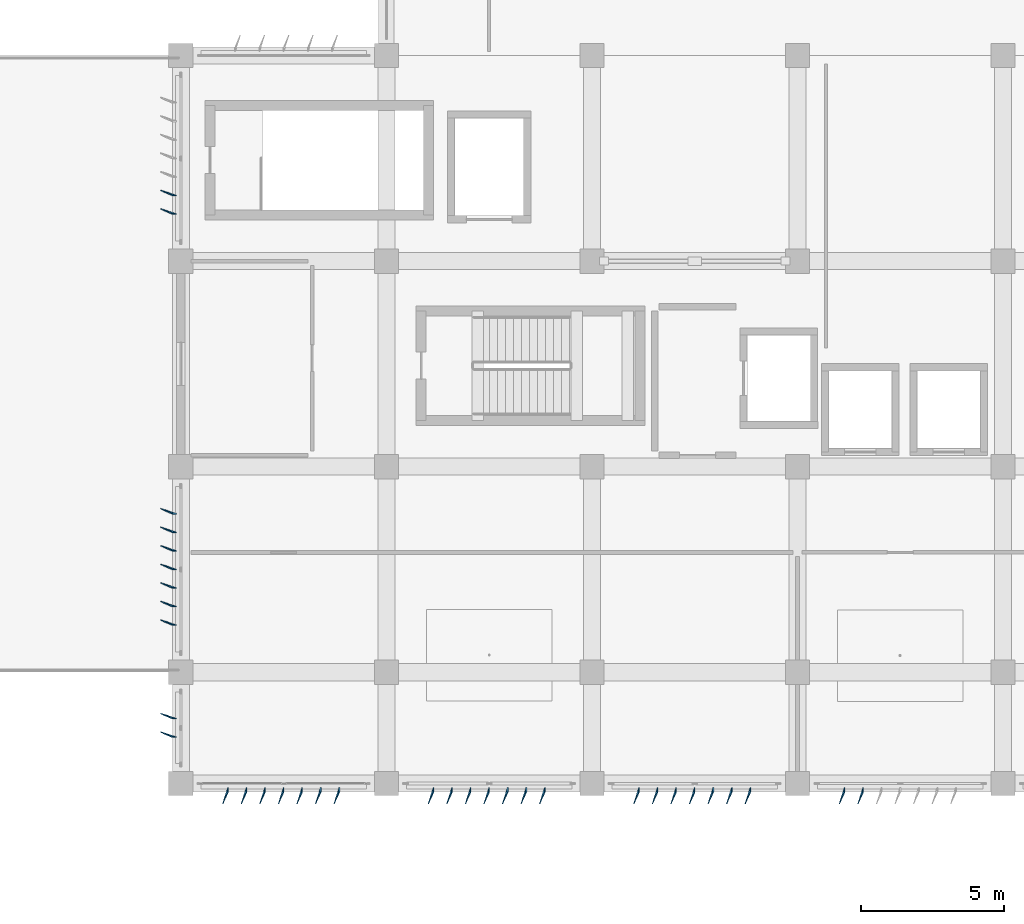
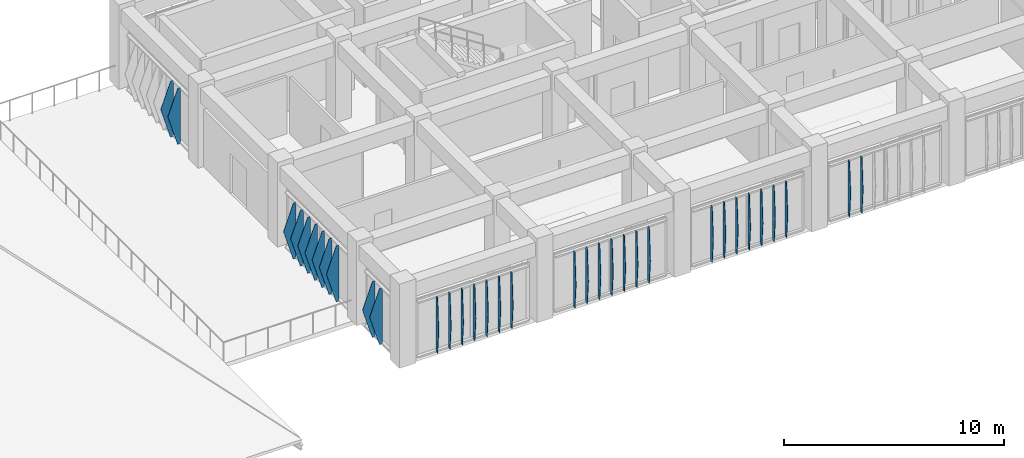
# One storey, part 46 of 55: 34 plates.
"""IFC4 building model written with IfcOpenShell, lengths in metres."""

from ifc_helpers import new_model, si_unit, direction, frame, origin, place, context, subcontext, project, spatial, polygons, material, layer, layer_set, type_object, element, save


model = new_model("IFC4")

# Units and contexts
model_context = context("Model", 3, precision=1e-05, world=origin(), true_north=direction((0.0, 1.0)))
body_context = subcontext(model_context, "Body", "Model", "MODEL_VIEW")
ifc_project = project(units=[si_unit("LENGTHUNIT", "METRE"), si_unit("AREAUNIT", "SQUARE_METRE"), si_unit("VOLUMEUNIT", "CUBIC_METRE"), si_unit("PLANEANGLEUNIT", "RADIAN"), si_unit("MASSUNIT", "GRAM", prefix="KILO")], contexts=[model_context])

# Site, building, storey
site_placement = place(None, origin())
site = spatial("IfcSite", under=ifc_project, at=site_placement, CompositionType="ELEMENT")
building_placement = place(site_placement, origin())
building = spatial("IfcBuilding", under=site, at=building_placement, Name="Kazehaya Institute of Natural Sciences", CompositionType="ELEMENT")
storey_placement = place(building_placement, frame((0.0, 0.0, 15.1201171875)))
storey = spatial("IfcBuildingStorey", under=building, at=storey_placement, Name="L03", CompositionType="ELEMENT", Elevation=15.1201171875)

# Plates
ifc_material = material(Name="Bronze-anodised aluminium alloy A6063S-T5", Category="aluminium")
ifc_layer_1 = layer(ifc_material, 0.02001953125, Name="Bronze-anodised aluminium alloy A6063S-T5", Category="aluminium")
ifc_layer_set_1 = layer_set([ifc_layer_1], Name="Bronze-anodised aluminium alloy A6063S-T5")
plate_type_1 = type_object("IfcPlateType", Name="FIN-DF-E1", PredefinedType="USERDEFINED", material=ifc_layer_set_1)
plate_1_placement = place(storey_placement, origin())
element("IfcPlate", 1, at=plate_1_placement, inside=storey, type_object=plate_type_1, Name="L03 folded diamond-pyramid shading fin FIN-L03-W-0074", ObjectType="SHADING_FIN", PredefinedType="USERDEFINED", context=body_context, shape_type="Tessellation", body=[
    polygons([(54.445068359375, 11.715087890625, 0.039794921875), (54.300048828125, 11.715087890625, 0.039794921875), (53.889892578125, 11.893798828125, 1.58984375), (54.300048828125, 11.715087890625, 3.139892578125), (54.445068359375, 11.715087890625, 3.139892578125), (54.445068359375, 11.735107421875, 0.039794921875), (54.300048828125, 11.735107421875, 0.039794921875), (53.889892578125, 11.913818359375, 1.58984375), (54.300048828125, 11.735107421875, 3.139892578125), (54.445068359375, 11.735107421875, 3.139892578125)], [[[1, 5, 4, 3, 2]], [[6, 7, 8, 9, 10]], [[1, 2, 7, 6]], [[2, 3, 8, 7]], [[3, 4, 9, 8]], [[4, 5, 10, 9]], [[5, 1, 6, 10]]], closed=True),
])
plate_2_placement = place(storey_placement, origin())
element("IfcPlate", 2, at=plate_2_placement, inside=storey, type_object=plate_type_1, Name="L03 folded diamond-pyramid shading fin FIN-L03-W-0075", ObjectType="SHADING_FIN", PredefinedType="USERDEFINED", context=body_context, shape_type="Tessellation", body=[
    polygons([(54.445068359375, 12.364990234375, 0.039794921875), (54.300048828125, 12.364990234375, 0.039794921875), (53.889892578125, 12.543701171875, 1.58984375), (54.300048828125, 12.364990234375, 3.139892578125), (54.445068359375, 12.364990234375, 3.139892578125), (54.445068359375, 12.385009765625, 0.039794921875), (54.300048828125, 12.385009765625, 0.039794921875), (53.889892578125, 12.563720703125, 1.58984375), (54.300048828125, 12.385009765625, 3.139892578125), (54.445068359375, 12.385009765625, 3.139892578125)], [[[1, 5, 4, 3, 2]], [[6, 7, 8, 9, 10]], [[1, 2, 7, 6]], [[2, 3, 8, 7]], [[3, 4, 9, 8]], [[4, 5, 10, 9]], [[5, 1, 6, 10]]], closed=True),
])
plate_3_placement = place(storey_placement, origin())
element("IfcPlate", 3, at=plate_3_placement, inside=storey, type_object=plate_type_1, Name="L03 folded diamond-pyramid shading fin FIN-L03-W-0078", ObjectType="SHADING_FIN", PredefinedType="USERDEFINED", context=body_context, shape_type="Tessellation", body=[
    polygons([(54.445068359375, 15.639892578125, 0.039794921875), (54.300048828125, 15.639892578125, 0.039794921875), (53.889892578125, 15.818603515625, 1.58984375), (54.300048828125, 15.639892578125, 3.139892578125), (54.445068359375, 15.639892578125, 3.139892578125), (54.445068359375, 15.659912109375, 0.039794921875), (54.300048828125, 15.659912109375, 0.039794921875), (53.889892578125, 15.838623046875, 1.58984375), (54.300048828125, 15.659912109375, 3.139892578125), (54.445068359375, 15.659912109375, 3.139892578125)], [[[1, 5, 4, 3, 2]], [[6, 7, 8, 9, 10]], [[1, 2, 7, 6]], [[2, 3, 8, 7]], [[3, 4, 9, 8]], [[4, 5, 10, 9]], [[5, 1, 6, 10]]], closed=True),
])
plate_4_placement = place(storey_placement, origin())
element("IfcPlate", 4, at=plate_4_placement, inside=storey, type_object=plate_type_1, Name="L03 folded diamond-pyramid shading fin FIN-L03-W-0079", ObjectType="SHADING_FIN", PredefinedType="USERDEFINED", context=body_context, shape_type="Tessellation", body=[
    polygons([(54.445068359375, 16.2900390625, 0.039794921875), (54.300048828125, 16.2900390625, 0.039794921875), (53.889892578125, 16.46875, 1.58984375), (54.300048828125, 16.2900390625, 3.139892578125), (54.445068359375, 16.2900390625, 3.139892578125), (54.445068359375, 16.31005859375, 0.039794921875), (54.300048828125, 16.31005859375, 0.039794921875), (53.889892578125, 16.48876953125, 1.58984375), (54.300048828125, 16.31005859375, 3.139892578125), (54.445068359375, 16.31005859375, 3.139892578125)], [[[1, 5, 4, 3, 2]], [[6, 7, 8, 9, 10]], [[1, 2, 7, 6]], [[2, 3, 8, 7]], [[3, 4, 9, 8]], [[4, 5, 10, 9]], [[5, 1, 6, 10]]], closed=True),
])
plate_5_placement = place(storey_placement, origin())
element("IfcPlate", 5, at=plate_5_placement, inside=storey, type_object=plate_type_1, Name="L03 folded diamond-pyramid shading fin FIN-L03-W-0080", ObjectType="SHADING_FIN", PredefinedType="USERDEFINED", context=body_context, shape_type="Tessellation", body=[
    polygons([(54.445068359375, 16.93994140625, 0.039794921875), (54.300048828125, 16.93994140625, 0.039794921875), (53.889892578125, 17.11865234375, 1.58984375), (54.300048828125, 16.93994140625, 3.139892578125), (54.445068359375, 16.93994140625, 3.139892578125), (54.445068359375, 16.9599609375, 0.039794921875), (54.300048828125, 16.9599609375, 0.039794921875), (53.889892578125, 17.138671875, 1.58984375), (54.300048828125, 16.9599609375, 3.139892578125), (54.445068359375, 16.9599609375, 3.139892578125)], [[[1, 5, 4, 3, 2]], [[6, 7, 8, 9, 10]], [[1, 2, 7, 6]], [[2, 3, 8, 7]], [[3, 4, 9, 8]], [[4, 5, 10, 9]], [[5, 1, 6, 10]]], closed=True),
])
plate_6_placement = place(storey_placement, origin())
element("IfcPlate", 6, at=plate_6_placement, inside=storey, type_object=plate_type_1, Name="L03 folded diamond-pyramid shading fin FIN-L03-W-0081", ObjectType="SHADING_FIN", PredefinedType="USERDEFINED", context=body_context, shape_type="Tessellation", body=[
    polygons([(54.445068359375, 17.590087890625, 0.039794921875), (54.300048828125, 17.590087890625, 0.039794921875), (53.889892578125, 17.768798828125, 1.58984375), (54.300048828125, 17.590087890625, 3.139892578125), (54.445068359375, 17.590087890625, 3.139892578125), (54.445068359375, 17.610107421875, 0.039794921875), (54.300048828125, 17.610107421875, 0.039794921875), (53.889892578125, 17.788818359375, 1.58984375), (54.300048828125, 17.610107421875, 3.139892578125), (54.445068359375, 17.610107421875, 3.139892578125)], [[[1, 5, 4, 3, 2]], [[6, 7, 8, 9, 10]], [[1, 2, 7, 6]], [[2, 3, 8, 7]], [[3, 4, 9, 8]], [[4, 5, 10, 9]], [[5, 1, 6, 10]]], closed=True),
])
plate_7_placement = place(storey_placement, origin())
element("IfcPlate", 7, at=plate_7_placement, inside=storey, type_object=plate_type_1, Name="L03 folded diamond-pyramid shading fin FIN-L03-W-0082", ObjectType="SHADING_FIN", PredefinedType="USERDEFINED", context=body_context, shape_type="Tessellation", body=[
    polygons([(54.445068359375, 18.239990234375, 0.039794921875), (54.300048828125, 18.239990234375, 0.039794921875), (53.889892578125, 18.418701171875, 1.58984375), (54.300048828125, 18.239990234375, 3.139892578125), (54.445068359375, 18.239990234375, 3.139892578125), (54.445068359375, 18.260009765625, 0.039794921875), (54.300048828125, 18.260009765625, 0.039794921875), (53.889892578125, 18.438720703125, 1.58984375), (54.300048828125, 18.260009765625, 3.139892578125), (54.445068359375, 18.260009765625, 3.139892578125)], [[[1, 5, 4, 3, 2]], [[6, 7, 8, 9, 10]], [[1, 2, 7, 6]], [[2, 3, 8, 7]], [[3, 4, 9, 8]], [[4, 5, 10, 9]], [[5, 1, 6, 10]]], closed=True),
])
plate_8_placement = place(storey_placement, origin())
element("IfcPlate", 8, at=plate_8_placement, inside=storey, type_object=plate_type_1, Name="L03 folded diamond-pyramid shading fin FIN-L03-W-0083", ObjectType="SHADING_FIN", PredefinedType="USERDEFINED", context=body_context, shape_type="Tessellation", body=[
    polygons([(54.445068359375, 18.889892578125, 0.039794921875), (54.300048828125, 18.889892578125, 0.039794921875), (53.889892578125, 19.068603515625, 1.58984375), (54.300048828125, 18.889892578125, 3.139892578125), (54.445068359375, 18.889892578125, 3.139892578125), (54.445068359375, 18.909912109375, 0.039794921875), (54.300048828125, 18.909912109375, 0.039794921875), (53.889892578125, 19.088623046875, 1.58984375), (54.300048828125, 18.909912109375, 3.139892578125), (54.445068359375, 18.909912109375, 3.139892578125)], [[[1, 5, 4, 3, 2]], [[6, 7, 8, 9, 10]], [[1, 2, 7, 6]], [[2, 3, 8, 7]], [[3, 4, 9, 8]], [[4, 5, 10, 9]], [[5, 1, 6, 10]]], closed=True),
])
plate_9_placement = place(storey_placement, origin())
element("IfcPlate", 9, at=plate_9_placement, inside=storey, type_object=plate_type_1, Name="L03 folded diamond-pyramid shading fin FIN-L03-W-0084", ObjectType="SHADING_FIN", PredefinedType="USERDEFINED", context=body_context, shape_type="Tessellation", body=[
    polygons([(54.445068359375, 19.5400390625, 0.039794921875), (54.300048828125, 19.5400390625, 0.039794921875), (53.889892578125, 19.71875, 1.58984375), (54.300048828125, 19.5400390625, 3.139892578125), (54.445068359375, 19.5400390625, 3.139892578125), (54.445068359375, 19.56005859375, 0.039794921875), (54.300048828125, 19.56005859375, 0.039794921875), (53.889892578125, 19.73876953125, 1.58984375), (54.300048828125, 19.56005859375, 3.139892578125), (54.445068359375, 19.56005859375, 3.139892578125)], [[[1, 5, 4, 3, 2]], [[6, 7, 8, 9, 10]], [[1, 2, 7, 6]], [[2, 3, 8, 7]], [[3, 4, 9, 8]], [[4, 5, 10, 9]], [[5, 1, 6, 10]]], closed=True),
])
plate_10_placement = place(storey_placement, origin())
element("IfcPlate", 10, at=plate_10_placement, inside=storey, type_object=plate_type_1, Name="L03 folded diamond-pyramid shading fin FIN-L03-W-0099", ObjectType="SHADING_FIN", PredefinedType="USERDEFINED", context=body_context, shape_type="Tessellation", body=[
    polygons([(54.445068359375, 30.0400390625, 0.039794921875), (54.300048828125, 30.0400390625, 0.039794921875), (53.889892578125, 30.21875, 1.58984375), (54.300048828125, 30.0400390625, 3.139892578125), (54.445068359375, 30.0400390625, 3.139892578125), (54.445068359375, 30.06005859375, 0.039794921875), (54.300048828125, 30.06005859375, 0.039794921875), (53.889892578125, 30.23876953125, 1.58984375), (54.300048828125, 30.06005859375, 3.139892578125), (54.445068359375, 30.06005859375, 3.139892578125)], [[[1, 5, 4, 3, 2]], [[6, 7, 8, 9, 10]], [[1, 2, 7, 6]], [[2, 3, 8, 7]], [[3, 4, 9, 8]], [[4, 5, 10, 9]], [[5, 1, 6, 10]]], closed=True),
])
plate_11_placement = place(storey_placement, origin())
element("IfcPlate", 11, at=plate_11_placement, inside=storey, type_object=plate_type_1, Name="L03 folded diamond-pyramid shading fin FIN-L03-W-0100", ObjectType="SHADING_FIN", PredefinedType="USERDEFINED", context=body_context, shape_type="Tessellation", body=[
    polygons([(54.445068359375, 30.68994140625, 0.039794921875), (54.300048828125, 30.68994140625, 0.039794921875), (53.889892578125, 30.86865234375, 1.58984375), (54.300048828125, 30.68994140625, 3.139892578125), (54.445068359375, 30.68994140625, 3.139892578125), (54.445068359375, 30.7099609375, 0.039794921875), (54.300048828125, 30.7099609375, 0.039794921875), (53.889892578125, 30.888671875, 1.58984375), (54.300048828125, 30.7099609375, 3.139892578125), (54.445068359375, 30.7099609375, 3.139892578125)], [[[1, 5, 4, 3, 2]], [[6, 7, 8, 9, 10]], [[1, 2, 7, 6]], [[2, 3, 8, 7]], [[3, 4, 9, 8]], [[4, 5, 10, 9]], [[5, 1, 6, 10]]], closed=True),
])
ifc_layer_2 = layer(ifc_material, 0.02001953125, Name="Bronze-anodised aluminium alloy A6063S-T5", Category="aluminium")
ifc_layer_set_2 = layer_set([ifc_layer_2], Name="Bronze-anodised aluminium alloy A6063S-T5")
plate_type_2 = type_object("IfcPlateType", Name="FIN-DF-S1", PredefinedType="USERDEFINED", material=ifc_layer_set_2)
plate_12_placement = place(storey_placement, origin())
element("IfcPlate", 12, at=plate_12_placement, inside=storey, type_object=plate_type_2, Name="L03 folded diamond-pyramid shading fin FIN-L03-S-0041", ObjectType="SHADING_FIN", PredefinedType="USERDEFINED", context=body_context, shape_type="Tessellation", body=[
    polygons([(78.510009765625, 9.945068359375, 0.039794921875), (78.510009765625, 9.800048828125, 0.039794921875), (78.331298828125, 9.389892578125, 1.58984375), (78.510009765625, 9.800048828125, 3.139892578125), (78.510009765625, 9.945068359375, 3.139892578125), (78.489990234375, 9.945068359375, 0.039794921875), (78.489990234375, 9.800048828125, 0.039794921875), (78.311279296875, 9.389892578125, 1.58984375), (78.489990234375, 9.800048828125, 3.139892578125), (78.489990234375, 9.945068359375, 3.139892578125)], [[[1, 5, 4, 3, 2]], [[6, 7, 8, 9, 10]], [[1, 2, 7, 6]], [[2, 3, 8, 7]], [[3, 4, 9, 8]], [[4, 5, 10, 9]], [[5, 1, 6, 10]]], closed=True),
])
plate_13_placement = place(storey_placement, origin())
element("IfcPlate", 13, at=plate_13_placement, inside=storey, type_object=plate_type_2, Name="L03 folded diamond-pyramid shading fin FIN-L03-S-0042", ObjectType="SHADING_FIN", PredefinedType="USERDEFINED", context=body_context, shape_type="Tessellation", body=[
    polygons([(77.860107421875, 9.945068359375, 0.039794921875), (77.860107421875, 9.800048828125, 0.039794921875), (77.681396484375, 9.389892578125, 1.58984375), (77.860107421875, 9.800048828125, 3.139892578125), (77.860107421875, 9.945068359375, 3.139892578125), (77.840087890625, 9.945068359375, 0.039794921875), (77.840087890625, 9.800048828125, 0.039794921875), (77.661376953125, 9.389892578125, 1.58984375), (77.840087890625, 9.800048828125, 3.139892578125), (77.840087890625, 9.945068359375, 3.139892578125)], [[[1, 5, 4, 3, 2]], [[6, 7, 8, 9, 10]], [[1, 2, 7, 6]], [[2, 3, 8, 7]], [[3, 4, 9, 8]], [[4, 5, 10, 9]], [[5, 1, 6, 10]]], closed=True),
])
plate_14_placement = place(storey_placement, origin())
element("IfcPlate", 14, at=plate_14_placement, inside=storey, type_object=plate_type_2, Name="L03 folded diamond-pyramid shading fin FIN-L03-S-0043", ObjectType="SHADING_FIN", PredefinedType="USERDEFINED", context=body_context, shape_type="Tessellation", body=[
    polygons([(74.56005859375, 9.945068359375, 0.039794921875), (74.56005859375, 9.800048828125, 0.039794921875), (74.38134765625, 9.389892578125, 1.58984375), (74.56005859375, 9.800048828125, 3.139892578125), (74.56005859375, 9.945068359375, 3.139892578125), (74.5400390625, 9.945068359375, 0.039794921875), (74.5400390625, 9.800048828125, 0.039794921875), (74.361328125, 9.389892578125, 1.58984375), (74.5400390625, 9.800048828125, 3.139892578125), (74.5400390625, 9.945068359375, 3.139892578125)], [[[1, 5, 4, 3, 2]], [[6, 7, 8, 9, 10]], [[1, 2, 7, 6]], [[2, 3, 8, 7]], [[3, 4, 9, 8]], [[4, 5, 10, 9]], [[5, 1, 6, 10]]], closed=True),
])
plate_15_placement = place(storey_placement, origin())
element("IfcPlate", 15, at=plate_15_placement, inside=storey, type_object=plate_type_2, Name="L03 folded diamond-pyramid shading fin FIN-L03-S-0044", ObjectType="SHADING_FIN", PredefinedType="USERDEFINED", context=body_context, shape_type="Tessellation", body=[
    polygons([(73.909912109375, 9.945068359375, 0.039794921875), (73.909912109375, 9.800048828125, 0.039794921875), (73.731201171875, 9.389892578125, 1.58984375), (73.909912109375, 9.800048828125, 3.139892578125), (73.909912109375, 9.945068359375, 3.139892578125), (73.889892578125, 9.945068359375, 0.039794921875), (73.889892578125, 9.800048828125, 0.039794921875), (73.711181640625, 9.389892578125, 1.58984375), (73.889892578125, 9.800048828125, 3.139892578125), (73.889892578125, 9.945068359375, 3.139892578125)], [[[1, 5, 4, 3, 2]], [[6, 7, 8, 9, 10]], [[1, 2, 7, 6]], [[2, 3, 8, 7]], [[3, 4, 9, 8]], [[4, 5, 10, 9]], [[5, 1, 6, 10]]], closed=True),
])
plate_16_placement = place(storey_placement, origin())
element("IfcPlate", 16, at=plate_16_placement, inside=storey, type_object=plate_type_2, Name="L03 folded diamond-pyramid shading fin FIN-L03-S-0045", ObjectType="SHADING_FIN", PredefinedType="USERDEFINED", context=body_context, shape_type="Tessellation", body=[
    polygons([(73.260009765625, 9.945068359375, 0.039794921875), (73.260009765625, 9.800048828125, 0.039794921875), (73.081298828125, 9.389892578125, 1.58984375), (73.260009765625, 9.800048828125, 3.139892578125), (73.260009765625, 9.945068359375, 3.139892578125), (73.239990234375, 9.945068359375, 0.039794921875), (73.239990234375, 9.800048828125, 0.039794921875), (73.061279296875, 9.389892578125, 1.58984375), (73.239990234375, 9.800048828125, 3.139892578125), (73.239990234375, 9.945068359375, 3.139892578125)], [[[1, 5, 4, 3, 2]], [[6, 7, 8, 9, 10]], [[1, 2, 7, 6]], [[2, 3, 8, 7]], [[3, 4, 9, 8]], [[4, 5, 10, 9]], [[5, 1, 6, 10]]], closed=True),
])
plate_17_placement = place(storey_placement, origin())
element("IfcPlate", 17, at=plate_17_placement, inside=storey, type_object=plate_type_2, Name="L03 folded diamond-pyramid shading fin FIN-L03-S-0046", ObjectType="SHADING_FIN", PredefinedType="USERDEFINED", context=body_context, shape_type="Tessellation", body=[
    polygons([(72.610107421875, 9.945068359375, 0.039794921875), (72.610107421875, 9.800048828125, 0.039794921875), (72.431396484375, 9.389892578125, 1.58984375), (72.610107421875, 9.800048828125, 3.139892578125), (72.610107421875, 9.945068359375, 3.139892578125), (72.590087890625, 9.945068359375, 0.039794921875), (72.590087890625, 9.800048828125, 0.039794921875), (72.411376953125, 9.389892578125, 1.58984375), (72.590087890625, 9.800048828125, 3.139892578125), (72.590087890625, 9.945068359375, 3.139892578125)], [[[1, 5, 4, 3, 2]], [[6, 7, 8, 9, 10]], [[1, 2, 7, 6]], [[2, 3, 8, 7]], [[3, 4, 9, 8]], [[4, 5, 10, 9]], [[5, 1, 6, 10]]], closed=True),
])
plate_18_placement = place(storey_placement, origin())
element("IfcPlate", 18, at=plate_18_placement, inside=storey, type_object=plate_type_2, Name="L03 folded diamond-pyramid shading fin FIN-L03-S-0047", ObjectType="SHADING_FIN", PredefinedType="USERDEFINED", context=body_context, shape_type="Tessellation", body=[
    polygons([(71.9599609375, 9.945068359375, 0.039794921875), (71.9599609375, 9.800048828125, 0.039794921875), (71.78125, 9.389892578125, 1.58984375), (71.9599609375, 9.800048828125, 3.139892578125), (71.9599609375, 9.945068359375, 3.139892578125), (71.93994140625, 9.945068359375, 0.039794921875), (71.93994140625, 9.800048828125, 0.039794921875), (71.76123046875, 9.389892578125, 1.58984375), (71.93994140625, 9.800048828125, 3.139892578125), (71.93994140625, 9.945068359375, 3.139892578125)], [[[1, 5, 4, 3, 2]], [[6, 7, 8, 9, 10]], [[1, 2, 7, 6]], [[2, 3, 8, 7]], [[3, 4, 9, 8]], [[4, 5, 10, 9]], [[5, 1, 6, 10]]], closed=True),
])
plate_19_placement = place(storey_placement, origin())
element("IfcPlate", 19, at=plate_19_placement, inside=storey, type_object=plate_type_2, Name="L03 folded diamond-pyramid shading fin FIN-L03-S-0048", ObjectType="SHADING_FIN", PredefinedType="USERDEFINED", context=body_context, shape_type="Tessellation", body=[
    polygons([(71.31005859375, 9.945068359375, 0.039794921875), (71.31005859375, 9.800048828125, 0.039794921875), (71.13134765625, 9.389892578125, 1.58984375), (71.31005859375, 9.800048828125, 3.139892578125), (71.31005859375, 9.945068359375, 3.139892578125), (71.2900390625, 9.945068359375, 0.039794921875), (71.2900390625, 9.800048828125, 0.039794921875), (71.111328125, 9.389892578125, 1.58984375), (71.2900390625, 9.800048828125, 3.139892578125), (71.2900390625, 9.945068359375, 3.139892578125)], [[[1, 5, 4, 3, 2]], [[6, 7, 8, 9, 10]], [[1, 2, 7, 6]], [[2, 3, 8, 7]], [[3, 4, 9, 8]], [[4, 5, 10, 9]], [[5, 1, 6, 10]]], closed=True),
])
plate_20_placement = place(storey_placement, origin())
element("IfcPlate", 20, at=plate_20_placement, inside=storey, type_object=plate_type_2, Name="L03 folded diamond-pyramid shading fin FIN-L03-S-0049", ObjectType="SHADING_FIN", PredefinedType="USERDEFINED", context=body_context, shape_type="Tessellation", body=[
    polygons([(70.659912109375, 9.945068359375, 0.039794921875), (70.659912109375, 9.800048828125, 0.039794921875), (70.481201171875, 9.389892578125, 1.58984375), (70.659912109375, 9.800048828125, 3.139892578125), (70.659912109375, 9.945068359375, 3.139892578125), (70.639892578125, 9.945068359375, 0.039794921875), (70.639892578125, 9.800048828125, 0.039794921875), (70.461181640625, 9.389892578125, 1.58984375), (70.639892578125, 9.800048828125, 3.139892578125), (70.639892578125, 9.945068359375, 3.139892578125)], [[[1, 5, 4, 3, 2]], [[6, 7, 8, 9, 10]], [[1, 2, 7, 6]], [[2, 3, 8, 7]], [[3, 4, 9, 8]], [[4, 5, 10, 9]], [[5, 1, 6, 10]]], closed=True),
])
plate_21_placement = place(storey_placement, origin())
element("IfcPlate", 21, at=plate_21_placement, inside=storey, type_object=plate_type_2, Name="L03 folded diamond-pyramid shading fin FIN-L03-S-0050", ObjectType="SHADING_FIN", PredefinedType="USERDEFINED", context=body_context, shape_type="Tessellation", body=[
    polygons([(67.360107421875, 9.945068359375, 0.039794921875), (67.360107421875, 9.800048828125, 0.039794921875), (67.181396484375, 9.389892578125, 1.58984375), (67.360107421875, 9.800048828125, 3.139892578125), (67.360107421875, 9.945068359375, 3.139892578125), (67.340087890625, 9.945068359375, 0.039794921875), (67.340087890625, 9.800048828125, 0.039794921875), (67.161376953125, 9.389892578125, 1.58984375), (67.340087890625, 9.800048828125, 3.139892578125), (67.340087890625, 9.945068359375, 3.139892578125)], [[[1, 5, 4, 3, 2]], [[6, 7, 8, 9, 10]], [[1, 2, 7, 6]], [[2, 3, 8, 7]], [[3, 4, 9, 8]], [[4, 5, 10, 9]], [[5, 1, 6, 10]]], closed=True),
])
plate_22_placement = place(storey_placement, origin())
element("IfcPlate", 22, at=plate_22_placement, inside=storey, type_object=plate_type_2, Name="L03 folded diamond-pyramid shading fin FIN-L03-S-0051", ObjectType="SHADING_FIN", PredefinedType="USERDEFINED", context=body_context, shape_type="Tessellation", body=[
    polygons([(66.7099609375, 9.945068359375, 0.039794921875), (66.7099609375, 9.800048828125, 0.039794921875), (66.53125, 9.389892578125, 1.58984375), (66.7099609375, 9.800048828125, 3.139892578125), (66.7099609375, 9.945068359375, 3.139892578125), (66.68994140625, 9.945068359375, 0.039794921875), (66.68994140625, 9.800048828125, 0.039794921875), (66.51123046875, 9.389892578125, 1.58984375), (66.68994140625, 9.800048828125, 3.139892578125), (66.68994140625, 9.945068359375, 3.139892578125)], [[[1, 5, 4, 3, 2]], [[6, 7, 8, 9, 10]], [[1, 2, 7, 6]], [[2, 3, 8, 7]], [[3, 4, 9, 8]], [[4, 5, 10, 9]], [[5, 1, 6, 10]]], closed=True),
])
plate_23_placement = place(storey_placement, origin())
element("IfcPlate", 23, at=plate_23_placement, inside=storey, type_object=plate_type_2, Name="L03 folded diamond-pyramid shading fin FIN-L03-S-0052", ObjectType="SHADING_FIN", PredefinedType="USERDEFINED", context=body_context, shape_type="Tessellation", body=[
    polygons([(66.06005859375, 9.945068359375, 0.039794921875), (66.06005859375, 9.800048828125, 0.039794921875), (65.88134765625, 9.389892578125, 1.58984375), (66.06005859375, 9.800048828125, 3.139892578125), (66.06005859375, 9.945068359375, 3.139892578125), (66.0400390625, 9.945068359375, 0.039794921875), (66.0400390625, 9.800048828125, 0.039794921875), (65.861328125, 9.389892578125, 1.58984375), (66.0400390625, 9.800048828125, 3.139892578125), (66.0400390625, 9.945068359375, 3.139892578125)], [[[1, 5, 4, 3, 2]], [[6, 7, 8, 9, 10]], [[1, 2, 7, 6]], [[2, 3, 8, 7]], [[3, 4, 9, 8]], [[4, 5, 10, 9]], [[5, 1, 6, 10]]], closed=True),
])
plate_24_placement = place(storey_placement, origin())
element("IfcPlate", 24, at=plate_24_placement, inside=storey, type_object=plate_type_2, Name="L03 folded diamond-pyramid shading fin FIN-L03-S-0053", ObjectType="SHADING_FIN", PredefinedType="USERDEFINED", context=body_context, shape_type="Tessellation", body=[
    polygons([(65.409912109375, 9.945068359375, 0.039794921875), (65.409912109375, 9.800048828125, 0.039794921875), (65.231201171875, 9.389892578125, 1.58984375), (65.409912109375, 9.800048828125, 3.139892578125), (65.409912109375, 9.945068359375, 3.139892578125), (65.389892578125, 9.945068359375, 0.039794921875), (65.389892578125, 9.800048828125, 0.039794921875), (65.211181640625, 9.389892578125, 1.58984375), (65.389892578125, 9.800048828125, 3.139892578125), (65.389892578125, 9.945068359375, 3.139892578125)], [[[1, 5, 4, 3, 2]], [[6, 7, 8, 9, 10]], [[1, 2, 7, 6]], [[2, 3, 8, 7]], [[3, 4, 9, 8]], [[4, 5, 10, 9]], [[5, 1, 6, 10]]], closed=True),
])
plate_25_placement = place(storey_placement, origin())
element("IfcPlate", 25, at=plate_25_placement, inside=storey, type_object=plate_type_2, Name="L03 folded diamond-pyramid shading fin FIN-L03-S-0054", ObjectType="SHADING_FIN", PredefinedType="USERDEFINED", context=body_context, shape_type="Tessellation", body=[
    polygons([(64.760009765625, 9.945068359375, 0.039794921875), (64.760009765625, 9.800048828125, 0.039794921875), (64.581298828125, 9.389892578125, 1.58984375), (64.760009765625, 9.800048828125, 3.139892578125), (64.760009765625, 9.945068359375, 3.139892578125), (64.739990234375, 9.945068359375, 0.039794921875), (64.739990234375, 9.800048828125, 0.039794921875), (64.561279296875, 9.389892578125, 1.58984375), (64.739990234375, 9.800048828125, 3.139892578125), (64.739990234375, 9.945068359375, 3.139892578125)], [[[1, 5, 4, 3, 2]], [[6, 7, 8, 9, 10]], [[1, 2, 7, 6]], [[2, 3, 8, 7]], [[3, 4, 9, 8]], [[4, 5, 10, 9]], [[5, 1, 6, 10]]], closed=True),
])
plate_26_placement = place(storey_placement, origin())
element("IfcPlate", 26, at=plate_26_placement, inside=storey, type_object=plate_type_2, Name="L03 folded diamond-pyramid shading fin FIN-L03-S-0055", ObjectType="SHADING_FIN", PredefinedType="USERDEFINED", context=body_context, shape_type="Tessellation", body=[
    polygons([(64.110107421875, 9.945068359375, 0.039794921875), (64.110107421875, 9.800048828125, 0.039794921875), (63.931396484375, 9.389892578125, 1.58984375), (64.110107421875, 9.800048828125, 3.139892578125), (64.110107421875, 9.945068359375, 3.139892578125), (64.090087890625, 9.945068359375, 0.039794921875), (64.090087890625, 9.800048828125, 0.039794921875), (63.911376953125, 9.389892578125, 1.58984375), (64.090087890625, 9.800048828125, 3.139892578125), (64.090087890625, 9.945068359375, 3.139892578125)], [[[1, 5, 4, 3, 2]], [[6, 7, 8, 9, 10]], [[1, 2, 7, 6]], [[2, 3, 8, 7]], [[3, 4, 9, 8]], [[4, 5, 10, 9]], [[5, 1, 6, 10]]], closed=True),
])
plate_27_placement = place(storey_placement, origin())
element("IfcPlate", 27, at=plate_27_placement, inside=storey, type_object=plate_type_2, Name="L03 folded diamond-pyramid shading fin FIN-L03-S-0056", ObjectType="SHADING_FIN", PredefinedType="USERDEFINED", context=body_context, shape_type="Tessellation", body=[
    polygons([(63.4599609375, 9.945068359375, 0.039794921875), (63.4599609375, 9.800048828125, 0.039794921875), (63.28125, 9.389892578125, 1.58984375), (63.4599609375, 9.800048828125, 3.139892578125), (63.4599609375, 9.945068359375, 3.139892578125), (63.43994140625, 9.945068359375, 0.039794921875), (63.43994140625, 9.800048828125, 0.039794921875), (63.26123046875, 9.389892578125, 1.58984375), (63.43994140625, 9.800048828125, 3.139892578125), (63.43994140625, 9.945068359375, 3.139892578125)], [[[1, 5, 4, 3, 2]], [[6, 7, 8, 9, 10]], [[1, 2, 7, 6]], [[2, 3, 8, 7]], [[3, 4, 9, 8]], [[4, 5, 10, 9]], [[5, 1, 6, 10]]], closed=True),
])
plate_28_placement = place(storey_placement, origin())
element("IfcPlate", 28, at=plate_28_placement, inside=storey, type_object=plate_type_2, Name="L03 folded diamond-pyramid shading fin FIN-L03-S-0057", ObjectType="SHADING_FIN", PredefinedType="USERDEFINED", context=body_context, shape_type="Tessellation", body=[
    polygons([(60.159912109375, 9.945068359375, 0.039794921875), (60.159912109375, 9.800048828125, 0.039794921875), (59.981201171875, 9.389892578125, 1.58984375), (60.159912109375, 9.800048828125, 3.139892578125), (60.159912109375, 9.945068359375, 3.139892578125), (60.139892578125, 9.945068359375, 0.039794921875), (60.139892578125, 9.800048828125, 0.039794921875), (59.961181640625, 9.389892578125, 1.58984375), (60.139892578125, 9.800048828125, 3.139892578125), (60.139892578125, 9.945068359375, 3.139892578125)], [[[1, 5, 4, 3, 2]], [[6, 7, 8, 9, 10]], [[1, 2, 7, 6]], [[2, 3, 8, 7]], [[3, 4, 9, 8]], [[4, 5, 10, 9]], [[5, 1, 6, 10]]], closed=True),
])
plate_29_placement = place(storey_placement, origin())
element("IfcPlate", 29, at=plate_29_placement, inside=storey, type_object=plate_type_2, Name="L03 folded diamond-pyramid shading fin FIN-L03-S-0058", ObjectType="SHADING_FIN", PredefinedType="USERDEFINED", context=body_context, shape_type="Tessellation", body=[
    polygons([(59.510009765625, 9.945068359375, 0.039794921875), (59.510009765625, 9.800048828125, 0.039794921875), (59.331298828125, 9.389892578125, 1.58984375), (59.510009765625, 9.800048828125, 3.139892578125), (59.510009765625, 9.945068359375, 3.139892578125), (59.489990234375, 9.945068359375, 0.039794921875), (59.489990234375, 9.800048828125, 0.039794921875), (59.311279296875, 9.389892578125, 1.58984375), (59.489990234375, 9.800048828125, 3.139892578125), (59.489990234375, 9.945068359375, 3.139892578125)], [[[1, 5, 4, 3, 2]], [[6, 7, 8, 9, 10]], [[1, 2, 7, 6]], [[2, 3, 8, 7]], [[3, 4, 9, 8]], [[4, 5, 10, 9]], [[5, 1, 6, 10]]], closed=True),
])
plate_30_placement = place(storey_placement, origin())
element("IfcPlate", 30, at=plate_30_placement, inside=storey, type_object=plate_type_2, Name="L03 folded diamond-pyramid shading fin FIN-L03-S-0059", ObjectType="SHADING_FIN", PredefinedType="USERDEFINED", context=body_context, shape_type="Tessellation", body=[
    polygons([(58.860107421875, 9.945068359375, 0.039794921875), (58.860107421875, 9.800048828125, 0.039794921875), (58.681396484375, 9.389892578125, 1.58984375), (58.860107421875, 9.800048828125, 3.139892578125), (58.860107421875, 9.945068359375, 3.139892578125), (58.840087890625, 9.945068359375, 0.039794921875), (58.840087890625, 9.800048828125, 0.039794921875), (58.661376953125, 9.389892578125, 1.58984375), (58.840087890625, 9.800048828125, 3.139892578125), (58.840087890625, 9.945068359375, 3.139892578125)], [[[1, 5, 4, 3, 2]], [[6, 7, 8, 9, 10]], [[1, 2, 7, 6]], [[2, 3, 8, 7]], [[3, 4, 9, 8]], [[4, 5, 10, 9]], [[5, 1, 6, 10]]], closed=True),
])
plate_31_placement = place(storey_placement, origin())
element("IfcPlate", 31, at=plate_31_placement, inside=storey, type_object=plate_type_2, Name="L03 folded diamond-pyramid shading fin FIN-L03-S-0060", ObjectType="SHADING_FIN", PredefinedType="USERDEFINED", context=body_context, shape_type="Tessellation", body=[
    polygons([(58.2099609375, 9.945068359375, 0.039794921875), (58.2099609375, 9.800048828125, 0.039794921875), (58.03125, 9.389892578125, 1.58984375), (58.2099609375, 9.800048828125, 3.139892578125), (58.2099609375, 9.945068359375, 3.139892578125), (58.18994140625, 9.945068359375, 0.039794921875), (58.18994140625, 9.800048828125, 0.039794921875), (58.01123046875, 9.389892578125, 1.58984375), (58.18994140625, 9.800048828125, 3.139892578125), (58.18994140625, 9.945068359375, 3.139892578125)], [[[1, 5, 4, 3, 2]], [[6, 7, 8, 9, 10]], [[1, 2, 7, 6]], [[2, 3, 8, 7]], [[3, 4, 9, 8]], [[4, 5, 10, 9]], [[5, 1, 6, 10]]], closed=True),
])
plate_32_placement = place(storey_placement, origin())
element("IfcPlate", 32, at=plate_32_placement, inside=storey, type_object=plate_type_2, Name="L03 folded diamond-pyramid shading fin FIN-L03-S-0061", ObjectType="SHADING_FIN", PredefinedType="USERDEFINED", context=body_context, shape_type="Tessellation", body=[
    polygons([(57.56005859375, 9.945068359375, 0.039794921875), (57.56005859375, 9.800048828125, 0.039794921875), (57.38134765625, 9.389892578125, 1.58984375), (57.56005859375, 9.800048828125, 3.139892578125), (57.56005859375, 9.945068359375, 3.139892578125), (57.5400390625, 9.945068359375, 0.039794921875), (57.5400390625, 9.800048828125, 0.039794921875), (57.361328125, 9.389892578125, 1.58984375), (57.5400390625, 9.800048828125, 3.139892578125), (57.5400390625, 9.945068359375, 3.139892578125)], [[[1, 5, 4, 3, 2]], [[6, 7, 8, 9, 10]], [[1, 2, 7, 6]], [[2, 3, 8, 7]], [[3, 4, 9, 8]], [[4, 5, 10, 9]], [[5, 1, 6, 10]]], closed=True),
])
plate_33_placement = place(storey_placement, origin())
element("IfcPlate", 33, at=plate_33_placement, inside=storey, type_object=plate_type_2, Name="L03 folded diamond-pyramid shading fin FIN-L03-S-0062", ObjectType="SHADING_FIN", PredefinedType="USERDEFINED", context=body_context, shape_type="Tessellation", body=[
    polygons([(56.909912109375, 9.945068359375, 0.039794921875), (56.909912109375, 9.800048828125, 0.039794921875), (56.731201171875, 9.389892578125, 1.58984375), (56.909912109375, 9.800048828125, 3.139892578125), (56.909912109375, 9.945068359375, 3.139892578125), (56.889892578125, 9.945068359375, 0.039794921875), (56.889892578125, 9.800048828125, 0.039794921875), (56.711181640625, 9.389892578125, 1.58984375), (56.889892578125, 9.800048828125, 3.139892578125), (56.889892578125, 9.945068359375, 3.139892578125)], [[[1, 5, 4, 3, 2]], [[6, 7, 8, 9, 10]], [[1, 2, 7, 6]], [[2, 3, 8, 7]], [[3, 4, 9, 8]], [[4, 5, 10, 9]], [[5, 1, 6, 10]]], closed=True),
])
plate_34_placement = place(storey_placement, origin())
element("IfcPlate", 34, at=plate_34_placement, inside=storey, type_object=plate_type_2, Name="L03 folded diamond-pyramid shading fin FIN-L03-S-0063", ObjectType="SHADING_FIN", PredefinedType="USERDEFINED", context=body_context, shape_type="Tessellation", body=[
    polygons([(56.260009765625, 9.945068359375, 0.039794921875), (56.260009765625, 9.800048828125, 0.039794921875), (56.081298828125, 9.389892578125, 1.58984375), (56.260009765625, 9.800048828125, 3.139892578125), (56.260009765625, 9.945068359375, 3.139892578125), (56.239990234375, 9.945068359375, 0.039794921875), (56.239990234375, 9.800048828125, 0.039794921875), (56.061279296875, 9.389892578125, 1.58984375), (56.239990234375, 9.800048828125, 3.139892578125), (56.239990234375, 9.945068359375, 3.139892578125)], [[[1, 5, 4, 3, 2]], [[6, 7, 8, 9, 10]], [[1, 2, 7, 6]], [[2, 3, 8, 7]], [[3, 4, 9, 8]], [[4, 5, 10, 9]], [[5, 1, 6, 10]]], closed=True),
])

save(model, "model.ifc")
